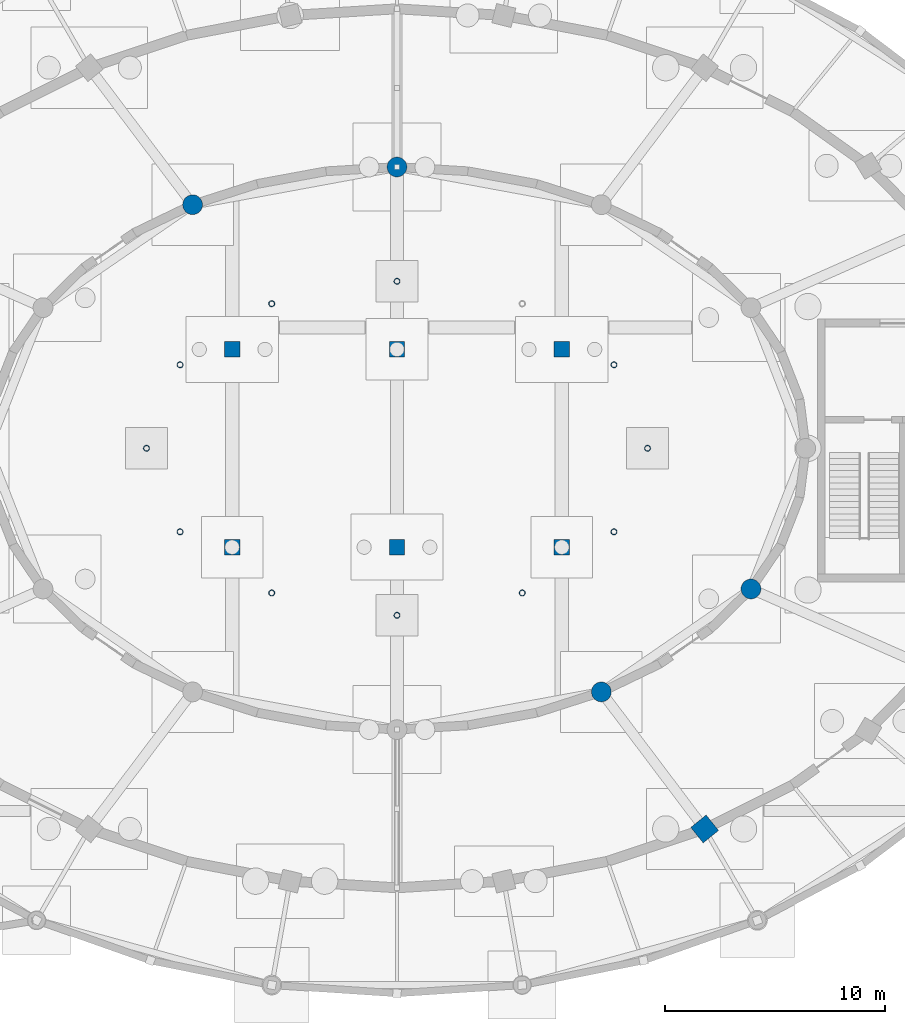
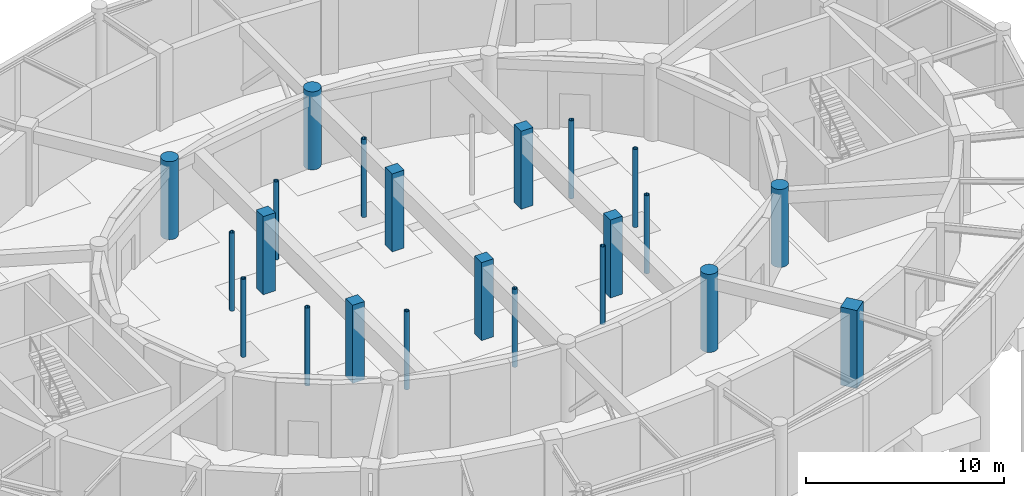
# One storey, part 8 of 42: 22 columns.
"""IFC4 building model written with IfcOpenShell, lengths in metres."""

import ifcopenshell
import ifcopenshell.guid

model = None  # the IFC model being written
_history = None  # IfcOwnerHistory: only IFC2X3 demands one
_inside = {}  # id of a spatial element -> (the spatial element, [elements in it])
_under = {}  # id of a project, library or spatial element -> (it, [spatial elements below it])
_declared = {}  # id of a project -> (the project, [libraries it declares])
_typed = {}  # id of a type object -> (the type object, [elements of that type])
_made_of = {}  # id of a material, layer set ... -> (it, [elements and type objects made of it])


def new_model(schema):
    """Start an empty IFC model of exactly this schema.

    Asked for "IFC4X3", IfcOpenShell would pick the latest addendum, in which some entities
    have other attributes; the version numbers below select the first issue.
    IFC2X3 requires an IfcOwnerHistory on every rooted entity: one is made here for all.
    """
    global model, _history
    if schema == "IFC4X3":
        model = ifcopenshell.file(schema_version=(4, 3, 0, 0))
    else:
        model = ifcopenshell.file(schema=schema)
    _inside.clear()
    _under.clear()
    _declared.clear()
    _typed.clear()
    _made_of.clear()
    _history = None
    if model.schema == "IFC2X3":
        org = make("IfcOrganization", Name="unknown")
        user = make(
            "IfcPersonAndOrganization",
            ThePerson=make("IfcPerson", FamilyName="unknown"),
            TheOrganization=org,
        )
        app = make(
            "IfcApplication",
            ApplicationDeveloper=org,
            Version="unknown",
            ApplicationFullName="unknown",
            ApplicationIdentifier="unknown",
        )
        _history = make(
            "IfcOwnerHistory",
            OwningUser=user,
            OwningApplication=app,
            ChangeAction="ADDED",
            CreationDate=0,
        )
    return model


def make(cls, **values):
    """One entity of the class cls with the attributes given. An attribute that is None is left unset."""
    return model.create_entity(
        cls, **{name: value for name, value in values.items() if value is not None}
    )


def rooted(cls, **values):
    """An entity with a GlobalId (a new one), such as an element, a storey or a relation."""
    return make(cls, GlobalId=ifcopenshell.guid.new(), OwnerHistory=_history, **values)


def si_unit(unit_type, name, prefix=None):
    """IfcSIUnit, for example si_unit("LENGTHUNIT", "METRE", prefix="MILLI")."""
    return make("IfcSIUnit", UnitType=unit_type, Prefix=prefix, Name=name)


def assignment(units):
    """IfcUnitAssignment: the units of a project."""
    return None if units is None else make("IfcUnitAssignment", Units=units)


def point(xyz):
    """IfcCartesianPoint."""
    return None if xyz is None else make("IfcCartesianPoint", Coordinates=xyz)


def direction(xyz):
    """IfcDirection."""
    return None if xyz is None else make("IfcDirection", DirectionRatios=xyz)


def frame(location, z_axis=None, x_axis=None):
    """IfcAxis2Placement3D, a coordinate frame: its origin and axes. An axis left out is left unset."""
    return make(
        "IfcAxis2Placement3D",
        Location=point(location),
        Axis=direction(z_axis),
        RefDirection=direction(x_axis),
    )


def frame_2d(location, x_axis=None):
    """IfcAxis2Placement2D, a coordinate frame in the plane: its origin and x axis."""
    return make(
        "IfcAxis2Placement2D", Location=point(location), RefDirection=direction(x_axis)
    )


def origin():
    """The frame at (0, 0, 0) with its axes left unset."""
    return frame((0.0, 0.0, 0.0))


def origin_2d():
    """The frame at (0, 0) in the plane with its x axis left unset."""
    return frame_2d((0.0, 0.0))


def place(relative_to, where):
    """IfcLocalPlacement: puts the frame where relative to a parent placement (None: the world)."""
    return make(
        "IfcLocalPlacement", PlacementRelTo=relative_to, RelativePlacement=where
    )


def context(
    kind, dimensions, precision=None, world=None, true_north=None, identifier=None
):
    """IfcGeometricRepresentationContext, for example the 3D "Model" context."""
    return make(
        "IfcGeometricRepresentationContext",
        ContextIdentifier=identifier,
        ContextType=kind,
        CoordinateSpaceDimension=dimensions,
        Precision=precision,
        WorldCoordinateSystem=world,
        TrueNorth=true_north,
    )


def subcontext(parent, identifier, kind, view, scale=None):
    """IfcGeometricRepresentationSubContext, for example "Body" below "Model"."""
    return make(
        "IfcGeometricRepresentationSubContext",
        ContextIdentifier=identifier,
        ContextType=kind,
        ParentContext=parent,
        TargetScale=scale,
        TargetView=view,
    )


def project(units=None, contexts=None):
    """IfcProject with its units and contexts."""
    return rooted(
        "IfcProject",
        Name="project",
        RepresentationContexts=contexts,
        UnitsInContext=assignment(units),
    )


def spatial(cls, under=None, at=None, **own):
    """A site, building, storey or space (cls), placed at a placement, below another one or the project."""
    s = rooted(cls, ObjectPlacement=at, **own)
    if under is not None:
        _under.setdefault(under.id(), (under, []))[1].append(s)
    return s


def profile(cls, at=None, kind="AREA", **sizes):
    """A parametric profile (cls). Its sizes go by their IFC names, for example OverallWidth=200.0."""
    return make(cls, ProfileType=kind, Position=at, **sizes)


def rectangle(**sizes):
    """IfcRectangleProfileDef."""
    return profile("IfcRectangleProfileDef", **sizes)


def circle(**sizes):
    """IfcCircleProfileDef."""
    return profile("IfcCircleProfileDef", **sizes)


def hollow_circle(**sizes):
    """IfcCircleHollowProfileDef."""
    return profile("IfcCircleHollowProfileDef", **sizes)


def extrude(swept, where, along, depth):
    """IfcExtrudedAreaSolid: the profile swept, set in the frame where, extruded along a direction by depth."""
    return make(
        "IfcExtrudedAreaSolid",
        SweptArea=swept,
        Position=where,
        ExtrudedDirection=direction(along),
        Depth=depth,
    )


def shape(context_of_items, identifier, shape_type, items):
    """IfcShapeRepresentation: the items that make up one representation, for example the "Body"."""
    return make(
        "IfcShapeRepresentation",
        ContextOfItems=context_of_items,
        RepresentationIdentifier=identifier,
        RepresentationType=shape_type,
        Items=items,
    )


def material(Name=None, Category=None):
    """IfcMaterial."""
    return make("IfcMaterial", Name=Name, Category=Category)


def material_profile(
    of_material, cross_section, Name=None, Category=None, Priority=None
):
    """IfcMaterialProfile: a cross section and its material."""
    return make(
        "IfcMaterialProfile",
        Name=Name,
        Material=of_material,
        Profile=cross_section,
        Priority=Priority,
        Category=Category,
    )


def profile_set(profiles, Name=None, composite=None):
    """IfcMaterialProfileSet."""
    return make(
        "IfcMaterialProfileSet",
        Name=Name,
        MaterialProfiles=profiles,
        CompositeProfile=composite,
    )


def made_of(thing, what):
    """Note that an element or type object is made of a material, layer set ...; save() writes the relation."""
    if what is not None:
        _made_of.setdefault(what.id(), (what, []))[1].append(thing)
    return thing


def type_object(cls, material=None, **own):
    """A type object (cls), such as IfcWallType, which elements share."""
    return made_of(rooted(cls, **own), material)


def element(
    cls,
    number,
    at=None,
    inside=None,
    cuts=None,
    type_object=None,
    material=None,
    context=None,
    identifier="Body",
    shape_type=None,
    held_by="IfcProductDefinitionShape",
    body=None,
    shapes=None,
    **own,
):
    """One element of the class cls, such as IfcWall. Its Tag is "e" and its number.

    at: its placement. inside: the storey or other place that contains it. cuts: it is an
    opening in that element (IfcRelVoidsElement). A single representation is given by context,
    identifier, shape_type and body (its items); several are given by shapes. held_by: the class
    of the entity that holds the representations. save() writes the other relations.
    """
    e = rooted(cls, Tag="e%d" % number, ObjectPlacement=at, **own)
    if body is not None:
        shapes = [shape(context, identifier, shape_type, body)]
    if shapes is not None:
        e.Representation = make(held_by, Representations=shapes)
    if inside is not None:
        _inside.setdefault(inside.id(), (inside, []))[1].append(e)
    if cuts is not None:
        rooted(
            "IfcRelVoidsElement", RelatingBuildingElement=cuts, RelatedOpeningElement=e
        )
    if type_object is not None:
        _typed.setdefault(type_object.id(), (type_object, []))[1].append(e)
    return made_of(e, material)


def aggregate(whole, parts):
    """IfcRelAggregates: a whole, such as a stair, and the parts it consists of."""
    return rooted("IfcRelAggregates", RelatingObject=whole, RelatedObjects=parts)


def save(model, path):
    """Write the relations noted so far, then the file.

    IfcRelAggregates (storeys below a building ...), IfcRelContainedInSpatialStructure (elements
    in a storey), IfcRelDefinesByType, IfcRelAssociatesMaterial and IfcRelDeclares: one each for
    every whole, place, type object, material and project.
    """
    for whole, parts in _under.values():
        aggregate(whole, parts)
    for where, things in _inside.values():
        rooted(
            "IfcRelContainedInSpatialStructure",
            RelatedElements=things,
            RelatingStructure=where,
        )
    for kind, things in _typed.values():
        rooted("IfcRelDefinesByType", RelatedObjects=things, RelatingType=kind)
    for what, things in _made_of.values():
        rooted("IfcRelAssociatesMaterial", RelatedObjects=things, RelatingMaterial=what)
    for by, libraries in _declared.values():
        rooted("IfcRelDeclares", RelatingContext=by, RelatedDefinitions=libraries)
    model.write(path)


model = new_model("IFC4")

# Units and contexts
model_context = context("Model", 3, precision=1e-05, world=origin(), true_north=direction((0.0, 1.0)))
body_context = subcontext(model_context, "Body", "Model", "MODEL_VIEW")
ifc_project = project(units=[si_unit("LENGTHUNIT", "METRE"), si_unit("AREAUNIT", "SQUARE_METRE"), si_unit("VOLUMEUNIT", "CUBIC_METRE"), si_unit("PLANEANGLEUNIT", "RADIAN"), si_unit("MASSUNIT", "GRAM", prefix="KILO")], contexts=[model_context])

# Site, building, storey
site_placement = place(None, origin())
site = spatial("IfcSite", under=ifc_project, at=site_placement, CompositionType="ELEMENT")
building_placement = place(site_placement, origin())
building = spatial("IfcBuilding", under=site, at=building_placement, Name="Tarnveldt Headland Concert Hall", CompositionType="ELEMENT")
storey_placement = place(building_placement, frame((0.0, 0.0, -4.800048828125)))
storey = spatial("IfcBuildingStorey", under=building, at=storey_placement, Name="B1", CompositionType="ELEMENT", Elevation=-4.800048828125)

# Columns
ifc_material_1 = material(Name="Concrete C40/50", Category="concrete")
ifc_material_profile_1 = material_profile(ifc_material_1, rectangle(XDim=0.699951171875, YDim=0.699951171875, at=origin_2d()), Name="RC 700x700", Category="concrete")
ifc_profile_set_1 = profile_set([ifc_material_profile_1], Name="Concrete C40/50")
column_type_1 = type_object("IfcColumnType", Name="CC-700", PredefinedType="COLUMN", material=ifc_profile_set_1)
for number, where, z_axis, x_axis, name in (
    (1, (76.0, 50.0, 0.0), (0.0, 0.0, 1.0), (1.0, 0.0, 0.0), "Column V2STG01 B1"),
    (2, (83.5, 50.0, 0.0), (0.0, 0.0, 1.0), (1.0, 0.0, 0.0), "Column V2STG02 B1"),
    (3, (91.0, 50.0, 0.0), (0.0, 0.0, 1.0), (1.0, 0.0, 0.0), "Column V2STG03 B1"),
    (4, (76.0, 59.0, 0.0), (0.0, 0.0, 1.0), (1.0, 0.0, 0.0), "Column V2STG04 B1"),
    (5, (83.5, 59.0, 0.0), (0.0, 0.0, 1.0), (1.0, 0.0, 0.0), "Column V2STG05 B1"),
    (6, (91.0, 59.0, 0.0), (0.0, 0.0, 1.0), (1.0, 0.0, 0.0), "Column V2STG06 B1"),
):
    element("IfcColumn", number, at=place(storey_placement, frame(where, z_axis=z_axis, x_axis=x_axis)), inside=storey, type_object=column_type_1, Name=name, PredefinedType="COLUMN", context=body_context, shape_type="SweptSolid", body=[
        extrude(rectangle(XDim=0.699951171875, YDim=0.699951171875, at=origin_2d()), origin(), (0.0, 0.0, 1.0), 4.800048828125),
    ])
ifc_material_profile_2 = material_profile(ifc_material_1, rectangle(XDim=0.89990234375, YDim=0.89990234375, at=origin_2d()), Name="RC 900x900", Category="concrete")
ifc_profile_set_2 = profile_set([ifc_material_profile_2], Name="Concrete C40/50")
column_type_2 = type_object("IfcColumnType", Name="CC-900", PredefinedType="COLUMN", material=ifc_profile_set_2)
column_placement = place(storey_placement, frame((97.5, 37.179443359375, 0.0), z_axis=(0.0, 0.0, 1.0), x_axis=(0.628641963719, -0.777694851116, 0.0)))
element("IfcColumn", 7, at=column_placement, inside=storey, type_object=column_type_2, Name="Column V2DC16 B1", PredefinedType="COLUMN", context=body_context, shape_type="SweptSolid", body=[
    extrude(rectangle(XDim=0.89990234375, YDim=0.89990234375, at=origin_2d()), origin(), (0.0, 0.0, 1.0), 4.800048828125),
])
ifc_material_profile_3 = material_profile(ifc_material_1, circle(Radius=0.449951171875, at=origin_2d()), Name="RC D900", Category="concrete")
ifc_profile_set_3 = profile_set([ifc_material_profile_3], Name="Concrete C40/50")
column_type_3 = type_object("IfcColumnType", Name="DC-900", PredefinedType="COLUMN", material=ifc_profile_set_3)
for number, where, z_axis, x_axis, name in (
    (8, (83.5, 67.300048828125, 0.0), (0.0, 0.0, 1.0), (0.0, 1.0, 0.0), "Column V2IC04 B1"),
    (9, (74.199951171875, 65.585205078125, 0.0), (0.0, 0.0, 1.0), (-0.642787609687, 0.766044443119, 0.0), "Column V2IC05 B1"),
    (10, (92.800048828125, 43.414794921875, 0.0), (0.0, 0.0, 1.0), (0.642787609687, -0.766044443119, 0.0), "Column V2IC11 B1"),
    (11, (99.608154296875, 48.10009765625, 0.0), (0.0, 0.0, 1.0), (0.929326043111, -0.369260213935, 0.0), "Column V2IC12 B1"),
):
    element("IfcColumn", number, at=place(storey_placement, frame(where, z_axis=z_axis, x_axis=x_axis)), inside=storey, type_object=column_type_3, Name=name, PredefinedType="COLUMN", context=body_context, shape_type="SweptSolid", body=[
        extrude(circle(Radius=0.449951171875, at=origin_2d()), origin(), (0.0, 0.0, 1.0), 4.800048828125),
    ])
ifc_material_2 = material(Name="Steel S355", Category="steel")
ifc_material_profile_4 = material_profile(ifc_material_2, hollow_circle(Radius=0.136474609375, WallThickness=0.01611328125, at=origin_2d()), Name="CHS 273x16", Category="steel")
ifc_profile_set_4 = profile_set([ifc_material_profile_4], Name="Steel S355")
column_type_4 = type_object("IfcColumnType", Name="SC-CHS273", PredefinedType="COLUMN", material=ifc_profile_set_4)
for number, where, z_axis, x_axis, name in (
    (12, (94.89990234375, 54.5, 0.0), (0.0, 0.0, 1.0), (1.0, 0.0, 0.0), "Tier ring column 1 B1"),
    (13, (93.372802734375, 58.300048828125, 0.0), (0.0, 0.0, 1.0), (1.0, 0.0, 0.0), "Tier ring column 2 B1"),
    (14, (83.5, 62.10009765625, 0.0), (0.0, 0.0, 1.0), (1.0, 0.0, 0.0), "Tier ring column 4 B1"),
    (15, (77.800048828125, 61.081787109375, 0.0), (0.0, 0.0, 1.0), (1.0, 0.0, 0.0), "Tier ring column 5 B1"),
    (16, (73.627197265625, 58.300048828125, 0.0), (0.0, 0.0, 1.0), (1.0, 0.0, 0.0), "Tier ring column 6 B1"),
    (17, (72.10009765625, 54.5, 0.0), (0.0, 0.0, 1.0), (1.0, 0.0, 0.0), "Tier ring column 7 B1"),
    (18, (73.627197265625, 50.699951171875, 0.0), (0.0, 0.0, 1.0), (1.0, 0.0, 0.0), "Tier ring column 8 B1"),
    (19, (77.800048828125, 47.918212890625, 0.0), (0.0, 0.0, 1.0), (1.0, 0.0, 0.0), "Tier ring column 9 B1"),
    (20, (83.5, 46.89990234375, 0.0), (0.0, 0.0, 1.0), (1.0, 0.0, 0.0), "Tier ring column 10 B1"),
    (21, (89.199951171875, 47.918212890625, 0.0), (0.0, 0.0, 1.0), (1.0, 0.0, 0.0), "Tier ring column 11 B1"),
    (22, (93.372802734375, 50.699951171875, 0.0), (0.0, 0.0, 1.0), (1.0, 0.0, 0.0), "Tier ring column 12 B1"),
):
    element("IfcColumn", number, at=place(storey_placement, frame(where, z_axis=z_axis, x_axis=x_axis)), inside=storey, type_object=column_type_4, Name=name, PredefinedType="COLUMN", context=body_context, shape_type="SweptSolid", body=[
        extrude(hollow_circle(Radius=0.136474609375, WallThickness=0.01611328125, at=origin_2d()), origin(), (0.0, 0.0, 1.0), 4.800048828125),
    ])

save(model, "model.ifc")
